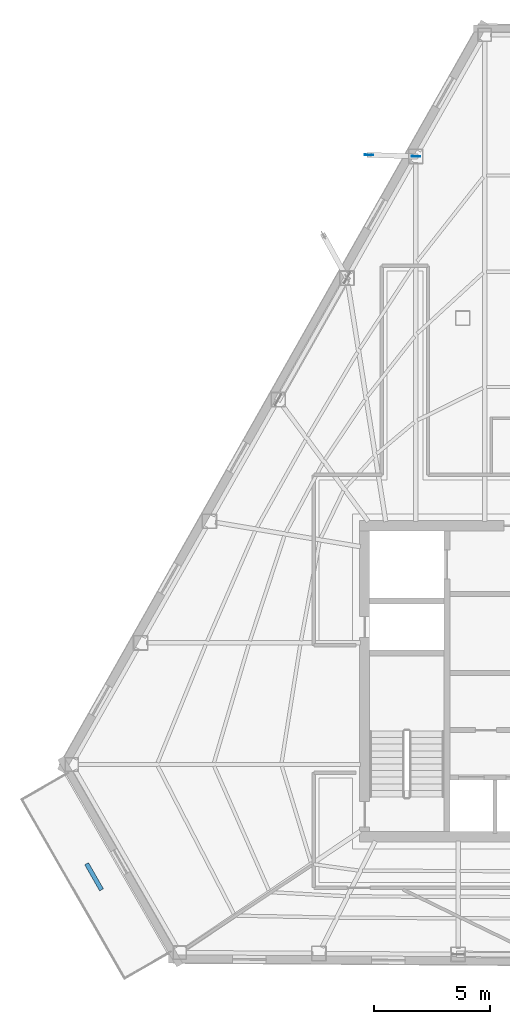
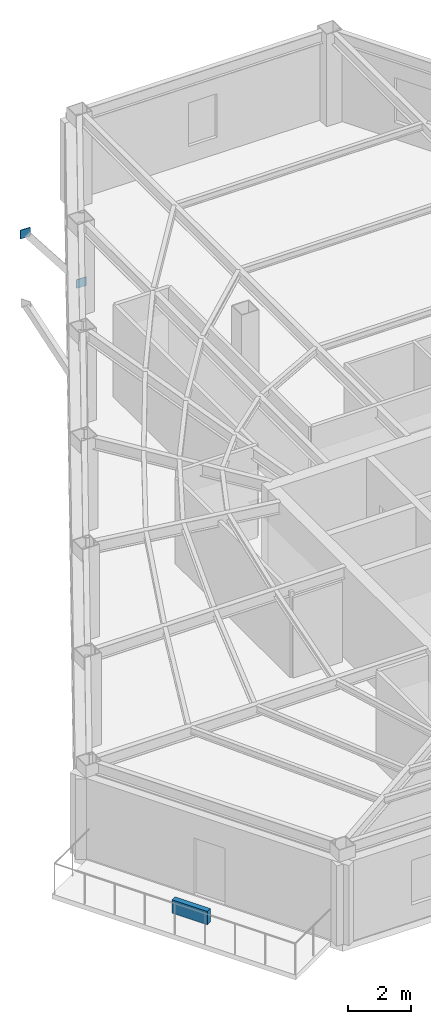
# One storey, part 6 of 11: 2 plates, 1 wall.
"""IFC4 building model written with IfcOpenShell, lengths in metres."""

from ifc_helpers import new_model, si_unit, direction, frame, frame_2d, origin, origin_2d, place, context, subcontext, project, spatial, rectangle, extrude, material, layer, layer_set, type_object, element, save


model = new_model("IFC4")

# Units and contexts
model_context = context("Model", 3, precision=1e-05, world=origin(), true_north=direction((0.0, 1.0)))
body_context = subcontext(model_context, "Body", "Model", "MODEL_VIEW")
ifc_project = project(units=[si_unit("LENGTHUNIT", "METRE"), si_unit("AREAUNIT", "SQUARE_METRE"), si_unit("VOLUMEUNIT", "CUBIC_METRE"), si_unit("PLANEANGLEUNIT", "RADIAN"), si_unit("MASSUNIT", "GRAM", prefix="KILO")], contexts=[model_context])

# Site, building, storey
site_placement = place(None, origin())
site = spatial("IfcSite", under=ifc_project, at=site_placement, CompositionType="ELEMENT")
building_placement = place(site_placement, origin())
building = spatial("IfcBuilding", under=site, at=building_placement, Name="Kavelnor Concourse Tower", CompositionType="ELEMENT")
storey_placement = place(building_placement, frame((0.0, 0.0, 172.699951171875)))
storey = spatial("IfcBuildingStorey", under=building, at=storey_placement, Name="L43", CompositionType="ELEMENT", Elevation=172.699951171875)

# Plates
ifc_material_1 = material(Name="Steel Grade 350", Category="steel")
ifc_layer_1 = layer(ifc_material_1, 0.028076171875, Name="Steel Grade 350")
ifc_layer_set_1 = layer_set([ifc_layer_1], Name="Steel Grade 350")
plate_type = type_object("IfcPlateType", Name="PL-GUSSET-FOLD", PredefinedType="USERDEFINED", material=ifc_layer_set_1)
for number, where, z_axis, x_axis, name in (
    (1, (30.482666015625, 38.785888671875, 0.8798828125), (0.0, 0.0, 1.0), (-0.999489976721, 0.03193409516, 0.0), "L43 Balcony Strut Gusset GP4 2-A End Gusset A"),
    (2, (28.444091796875, 38.85107421875, 3.48486328125), (0.0, 0.0, 1.0), (-0.999489976721, 0.03193409516, 0.0), "L43 Balcony Strut Gusset GP4 2-A End Gusset B"),
):
    element("IfcPlate", number, at=place(storey_placement, frame(where, z_axis=z_axis, x_axis=x_axis)), inside=storey, type_object=plate_type, Name=name, ObjectType="GUSSET_PLATE", PredefinedType="USERDEFINED", context=body_context, shape_type="SweptSolid", body=[
        extrude(rectangle(XDim=0.360107421875, YDim=0.028076171875, at=origin_2d()), origin(), (0.0, 0.0, 1.0), 0.340087890625),
    ])

# Wall
ifc_material_2 = material(Name="Architectural precast planter concrete C40/50", Category="concrete")
ifc_layer_2 = layer(ifc_material_2, 0.18994140625, Name="Architectural precast planter concrete C40/50")
ifc_layer_set_2 = layer_set([ifc_layer_2], Name="Architectural precast planter concrete C40/50")
wall_type = type_object("IfcWallType", Name="WL-PLANTER-KERB-190", PredefinedType="USERDEFINED", material=ifc_layer_set_2)
wall_placement = place(storey_placement, frame((16.2412109375, 8.2138671875, 0.0), z_axis=(0.0, 0.0, 1.0), x_axis=(0.497857055597, -0.867259103263, 0.0)))
element("IfcWall", 3, at=wall_placement, inside=storey, type_object=wall_type, Name="L43 Spiral Terrace Landscaped Planter Kerb", ObjectType="PLANTER", PredefinedType="USERDEFINED", context=body_context, shape_type="SweptSolid", body=[
    extrude(rectangle(XDim=1.300048828125, YDim=0.18994140625, at=frame_2d((0.64990234375, 0.0))), origin(), (0.0, 0.0, 1.0), 0.52001953125),
])

save(model, "model.ifc")
